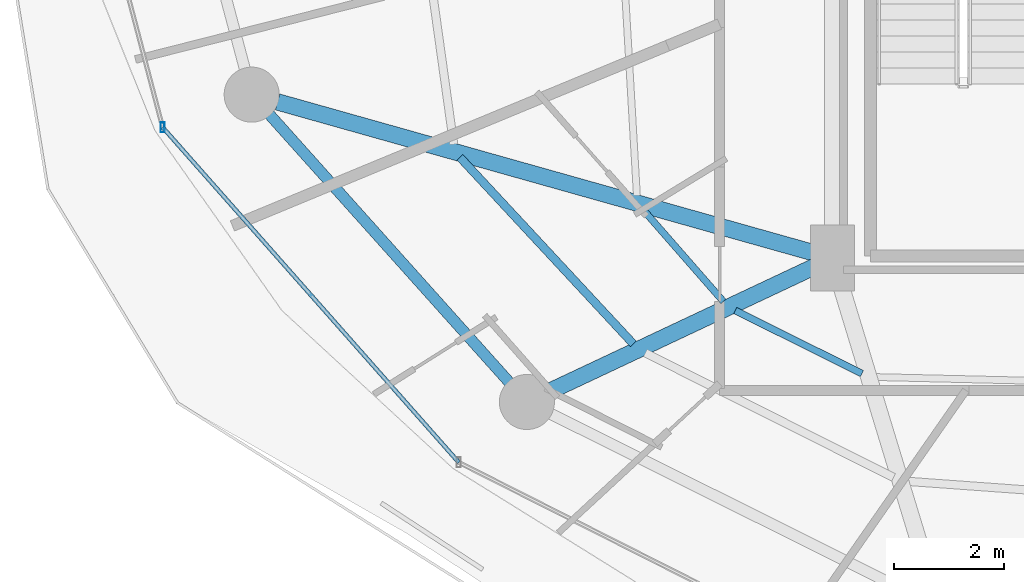
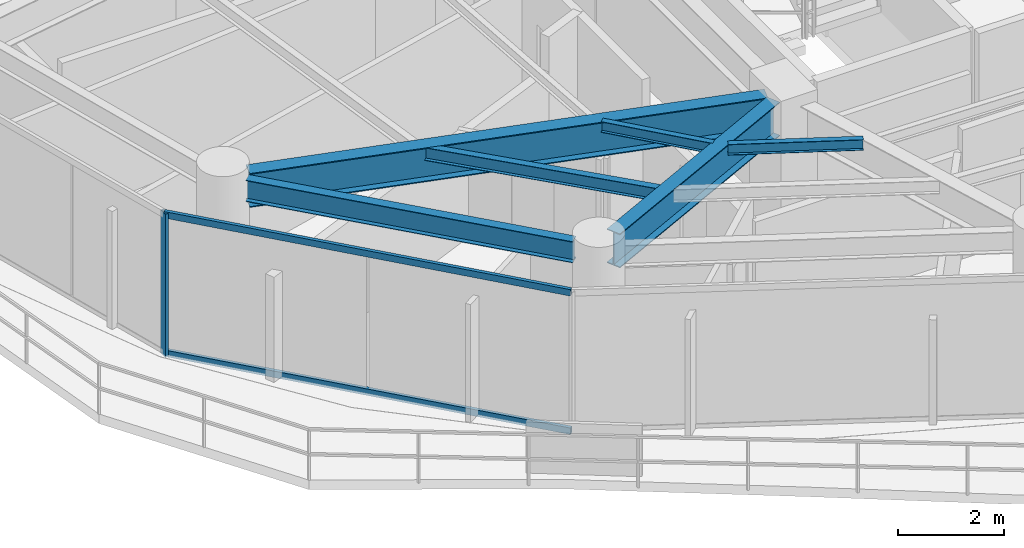
# One storey, part 3 of 28: 6 beams, 3 members, 1 element without a shape of its own.
"""IFC4 building model written with IfcOpenShell, lengths in metres."""

from ifc_helpers import new_model, si_unit, direction, frame, origin, origin_2d, place, context, subcontext, project, spatial, hollow_rectangle, i_section, extrude, material, material_profile, profile_set, type_object, element, aggregate, save


model = new_model("IFC4")

# Units and contexts
model_context = context("Model", 3, precision=1e-05, world=origin(), true_north=direction((0.0, 1.0)))
body_context = subcontext(model_context, "Body", "Model", "MODEL_VIEW")
ifc_project = project(units=[si_unit("LENGTHUNIT", "METRE"), si_unit("AREAUNIT", "SQUARE_METRE"), si_unit("VOLUMEUNIT", "CUBIC_METRE"), si_unit("PLANEANGLEUNIT", "RADIAN"), si_unit("MASSUNIT", "GRAM", prefix="KILO")], contexts=[model_context])

# Site, building, storey
site_placement = place(None, origin())
site = spatial("IfcSite", under=ifc_project, at=site_placement, CompositionType="ELEMENT")
building_placement = place(site_placement, origin())
building = spatial("IfcBuilding", under=site, at=building_placement, Name="Vorneva Point Tower", CompositionType="ELEMENT")
storey_placement = place(building_placement, frame((0.0, 0.0, 143.10009765625)))
storey = spatial("IfcBuildingStorey", under=building, at=storey_placement, Name="L38", CompositionType="ELEMENT", Elevation=143.10009765625)

# Beams
ifc_material_1 = material(Name="Steel S355", Category="steel")
ifc_material_profile_1 = material_profile(ifc_material_1, i_section(OverallWidth=0.300048828125, OverallDepth=0.7880859375, WebThickness=0.014404296875, FlangeThickness=0.02197265625, at=origin_2d()), Name="80Sh1")
ifc_profile_set_1 = profile_set([ifc_material_profile_1], Name="Steel S355")
beam_type_1 = type_object("IfcBeamType", Name="BM-GRD-80Sh1", PredefinedType="USERDEFINED", material=ifc_profile_set_1)
beam_1_placement = place(storey_placement, frame((17.17431640625, 19.28564453125, 2.845947265625), z_axis=(0.96260085362, -0.270923599213, 0.0), x_axis=(0.270923599213, 0.96260085362, 0.0)))
element("IfcBeam", 1, at=beam_1_placement, inside=storey, type_object=beam_type_1, Name="L38 Radial Primary Girder 10", ObjectType="GIRDER", PredefinedType="USERDEFINED", context=body_context, shape_type="SweptSolid", body=[
    extrude(i_section(OverallWidth=0.300048828125, OverallDepth=0.7880859375, WebThickness=0.014404296875, FlangeThickness=0.02197265625, at=origin_2d()), origin(), (0.0, 0.0, 1.0), 10.126953125),
])
beam_2_placement = place(storey_placement, frame((22.142578125, 14.045654296875, 2.845947265625), z_axis=(0.904761331435, 0.425918927896, 0.0), x_axis=(-0.425918927896, 0.904761331435, 0.0)))
element("IfcBeam", 2, at=beam_2_placement, inside=storey, type_object=beam_type_1, Name="L38 Radial Primary Girder 11", ObjectType="GIRDER", PredefinedType="USERDEFINED", context=body_context, shape_type="SweptSolid", body=[
    extrude(i_section(OverallWidth=0.300048828125, OverallDepth=0.7880859375, WebThickness=0.014404296875, FlangeThickness=0.02197265625, at=origin_2d()), origin(), (0.0, 0.0, 1.0), 5.304931640625),
])
ifc_material_profile_2 = material_profile(ifc_material_1, i_section(OverallWidth=0.1240234375, OverallDepth=0.248046875, WebThickness=0.0048828125, FlangeThickness=0.008056640625, at=origin_2d()), Name="25B1")
ifc_profile_set_2 = profile_set([ifc_material_profile_2], Name="Steel S355")
beam_type_2 = type_object("IfcBeamType", Name="BM-JST-25B1", PredefinedType="JOIST", material=ifc_profile_set_2)
beam_3_placement = place(storey_placement, frame((23.796630859375, 17.343505859375, 3.115966796875), z_axis=(0.658705826659, -0.752400580758, 0.0), x_axis=(0.752400580758, 0.658705826659, 0.0)))
element("IfcBeam", 3, at=beam_3_placement, inside=storey, type_object=beam_type_2, Name="L38 Secondary Floor Beam 2.10", PredefinedType="JOIST", context=body_context, shape_type="SweptSolid", body=[
    extrude(i_section(OverallWidth=0.1240234375, OverallDepth=0.248046875, WebThickness=0.0048828125, FlangeThickness=0.008056640625, at=origin_2d()), origin(), (0.0, 0.0, 1.0), 2.233154296875),
])
beam_4_placement = place(storey_placement, frame((25.482177734375, 15.498291015625, 3.115966796875), z_axis=(0.895489131745, -0.445083379746, 0.0), x_axis=(0.445083379746, 0.895489131745, 0.0)))
element("IfcBeam", 4, at=beam_4_placement, inside=storey, type_object=beam_type_2, Name="L38 Secondary Floor Beam 2.11", PredefinedType="JOIST", context=body_context, shape_type="SweptSolid", body=[
    extrude(i_section(OverallWidth=0.1240234375, OverallDepth=0.248046875, WebThickness=0.0048828125, FlangeThickness=0.008056640625, at=origin_2d()), origin(), (0.0, 0.0, 1.0), 2.56884765625),
])
ifc_material_profile_3 = material_profile(ifc_material_1, i_section(OverallWidth=0.14892578125, OverallDepth=0.298095703125, WebThickness=0.005615234375, FlangeThickness=0.008056640625, at=origin_2d()), Name="30B1")
ifc_profile_set_3 = profile_set([ifc_material_profile_3], Name="Steel S355")
beam_type_3 = type_object("IfcBeamType", Name="BM-JST-30B1", PredefinedType="JOIST", material=ifc_profile_set_3)
beam_5_placement = place(storey_placement, frame((20.4853515625, 18.279296875, 3.0908203125), z_axis=(0.680732567177, -0.732532027959, 0.0), x_axis=(0.732532027959, 0.680732567177, 0.0)))
element("IfcBeam", 5, at=beam_5_placement, inside=storey, type_object=beam_type_3, Name="L38 Secondary Floor Beam 1.10", PredefinedType="JOIST", context=body_context, shape_type="SweptSolid", body=[
    extrude(i_section(OverallWidth=0.14892578125, OverallDepth=0.298095703125, WebThickness=0.005615234375, FlangeThickness=0.008056640625, at=origin_2d()), origin(), (0.0, 0.0, 1.0), 4.62353515625),
])
ifc_material_profile_4 = material_profile(ifc_material_1, i_section(OverallWidth=0.199951171875, OverallDepth=0.491943359375, WebThickness=0.0087890625, FlangeThickness=0.011962890625, at=origin_2d()), Name="50B1")
ifc_profile_set_4 = profile_set([ifc_material_profile_4], Name="Steel S355")
beam_type_4 = type_object("IfcBeamType", Name="BM-SPN-50B1", PredefinedType="SPANDREL", material=ifc_profile_set_4)
beam_6_placement = place(storey_placement, frame((17.028076171875, 19.056396484375, 2.993896484375), z_axis=(0.667111118975, -0.74495822362, 0.0), x_axis=(0.74495822362, 0.667111118975, 0.0)))
element("IfcBeam", 6, at=beam_6_placement, inside=storey, type_object=beam_type_4, Name="L38 Perimeter Spandrel Ring Beam 10", PredefinedType="SPANDREL", context=body_context, shape_type="SweptSolid", body=[
    extrude(i_section(OverallWidth=0.199951171875, OverallDepth=0.491943359375, WebThickness=0.0087890625, FlangeThickness=0.011962890625, at=origin_2d()), origin(), (0.0, 0.0, 1.0), 6.52001953125),
])

# Curtain wall, members
ifc_material_2 = material(Name="Pale anodised aluminium", Category="aluminium")
curtain_wall_type = type_object("IfcCurtainWallType", Name="CW-RES-SYS", PredefinedType="NOTDEFINED", material=ifc_material_2)
curtain_wall_placement = place(storey_placement, origin())
curtain_wall = element("IfcCurtainWall", 7, at=curtain_wall_placement, inside=storey, type_object=curtain_wall_type, Name="L38 Unitised Curtain Wall CW-L38-R02", PredefinedType="NOTDEFINED")
ifc_material_profile_5 = material_profile(ifc_material_2, hollow_rectangle(XDim=0.074951171875, YDim=0.179931640625, WallThickness=0.00390625, at=origin_2d()), Name="AL-MUL 180x75x4")
ifc_profile_set_5 = profile_set([ifc_material_profile_5], Name="Pale anodised aluminium")
member_type_1 = type_object("IfcMemberType", Name="CW-MUL-180", PredefinedType="MULLION", material=ifc_profile_set_5)
member_1_placement = place(storey_placement, frame((15.087890625, 18.82470703125, -0.0400390625), z_axis=(0.0, 0.0, 1.0), x_axis=(1.0, 0.0, 0.0)))
member_1 = element("IfcMember", 8, at=member_1_placement, type_object=member_type_1, Name="CW-L38-R02 Mullion 04", PredefinedType="MULLION", context=body_context, shape_type="SweptSolid", body=[
    extrude(hollow_rectangle(XDim=0.074951171875, YDim=0.179931640625, WallThickness=0.00390625, at=origin_2d()), origin(), (0.0, 0.0, 1.0), 3.31005859375),
])
ifc_material_profile_6 = material_profile(ifc_material_2, hollow_rectangle(XDim=0.074951171875, YDim=0.14990234375, WallThickness=0.00390625, at=origin_2d()), Name="AL-TRN 150x75x4")
ifc_profile_set_6 = profile_set([ifc_material_profile_6], Name="Pale anodised aluminium")
member_type_2 = type_object("IfcMemberType", Name="CW-TRN-150", PredefinedType="USERDEFINED", material=ifc_profile_set_6)
member_2_placement = place(storey_placement, frame((15.087890625, 18.82470703125, 0.02001953125), z_axis=(0.662218216609, -0.749311039283, 0.0), x_axis=(0.749311039283, 0.662218216609, 0.0)))
member_2 = element("IfcMember", 9, at=member_2_placement, type_object=member_type_2, Name="CW-L38-R02 Transom 04.1", ObjectType="TRANSOM", PredefinedType="USERDEFINED", context=body_context, shape_type="SweptSolid", body=[
    extrude(hollow_rectangle(XDim=0.074951171875, YDim=0.14990234375, WallThickness=0.00390625, at=origin_2d()), origin(), (0.0, 0.0, 1.0), 8.1181640625),
])
member_3_placement = place(storey_placement, frame((15.087890625, 18.82470703125, 3.219970703125), z_axis=(0.662218216609, -0.749311039283, 0.0), x_axis=(0.749311039283, 0.662218216609, 0.0)))
member_3 = element("IfcMember", 10, at=member_3_placement, type_object=member_type_2, Name="CW-L38-R02 Transom 04.2", ObjectType="TRANSOM", PredefinedType="USERDEFINED", context=body_context, shape_type="SweptSolid", body=[
    extrude(hollow_rectangle(XDim=0.074951171875, YDim=0.14990234375, WallThickness=0.00390625, at=origin_2d()), origin(), (0.0, 0.0, 1.0), 8.1181640625),
])
aggregate(curtain_wall, [member_1, member_2, member_3])

save(model, "model.ifc")
